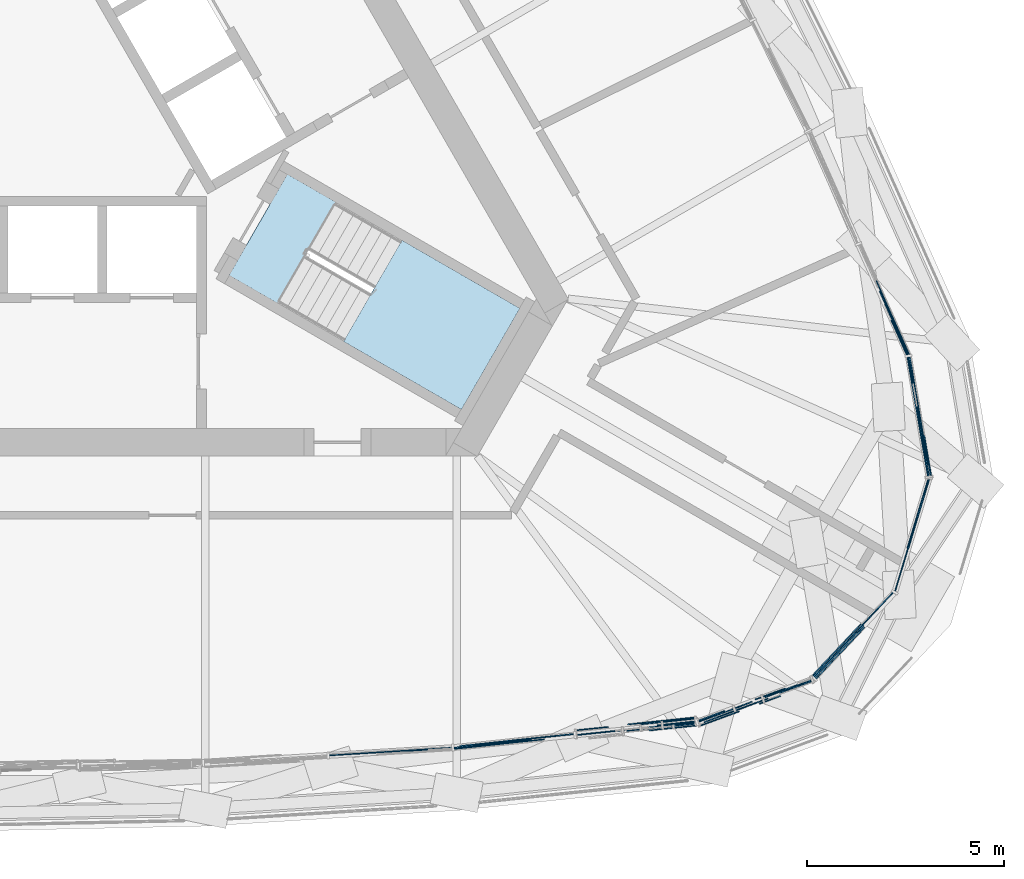
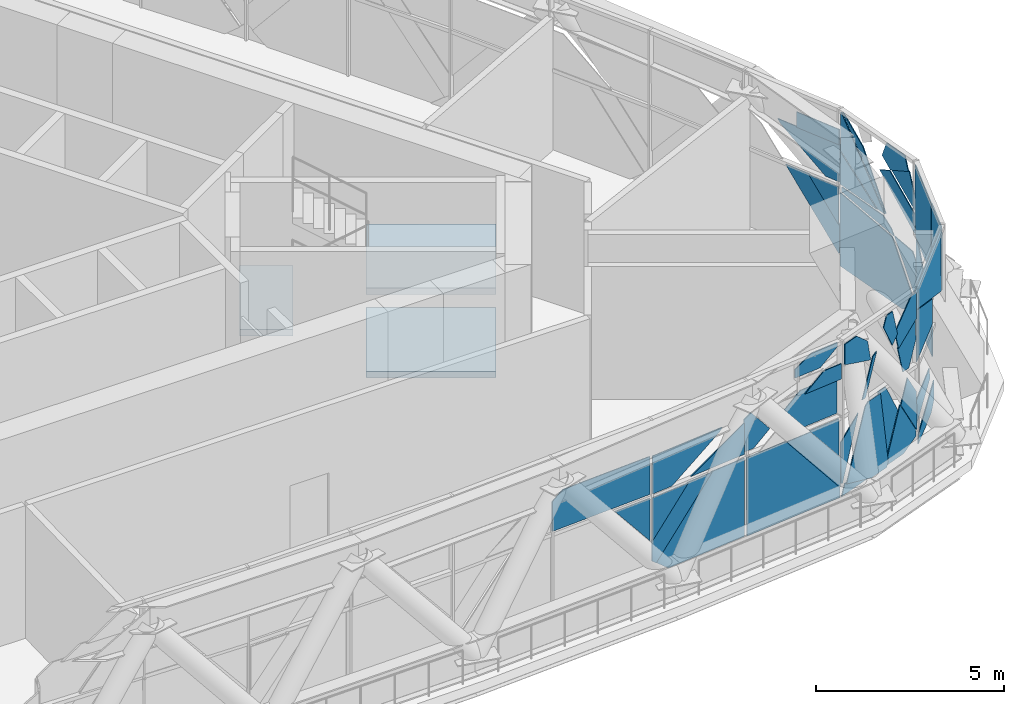
# One storey, part 12 of 33: 45 plates, 3 slabs, 4 elements without a shape of their own.
"""IFC4 building model written with IfcOpenShell, lengths in metres."""

from ifc_helpers import new_model, si_unit, direction, frame, origin, place, context, subcontext, project, spatial, polyline, outline, extrude, material, layer, layer_set, type_object, element, aggregate, save


model = new_model("IFC4")

# Units and contexts
model_context = context("Model", 3, precision=1e-05, world=origin(), true_north=direction((0.0, 1.0)))
body_context = subcontext(model_context, "Body", "Model", "MODEL_VIEW")
ifc_project = project(units=[si_unit("LENGTHUNIT", "METRE"), si_unit("AREAUNIT", "SQUARE_METRE"), si_unit("VOLUMEUNIT", "CUBIC_METRE"), si_unit("PLANEANGLEUNIT", "RADIAN"), si_unit("MASSUNIT", "GRAM", prefix="KILO")], contexts=[model_context])

# Site, building, storey
site_placement = place(None, origin())
site = spatial("IfcSite", under=ifc_project, at=site_placement, CompositionType="ELEMENT")
building_placement = place(site_placement, origin())
building = spatial("IfcBuilding", under=site, at=building_placement, Name="Mestral Congress Tower", CompositionType="ELEMENT")
storey_placement = place(building_placement, frame((0.0, 0.0, 256.199951171875)))
storey = spatial("IfcBuildingStorey", under=building, at=storey_placement, Name="L60", CompositionType="ELEMENT", Elevation=256.199951171875)

# Stair, slabs
ifc_material_1 = material(Name="Concrete C60/75", Category="concrete")
stair_type = type_object("IfcStairType", Name="Exit stair 1400", PredefinedType="HALF_TURN_STAIR", material=ifc_material_1)
placement = place(storey_placement, origin())
stair = element("IfcStair", 1, at=placement, inside=storey, type_object=stair_type, Name="L60 ST1", PredefinedType="HALF_TURN_STAIR")
ifc_layer_1 = layer(ifc_material_1, 0.199951171875)
ifc_layer_set_1 = layer_set([ifc_layer_1], Name="Concrete C60/75")
slab_type = type_object("IfcSlabType", Name="Exit stair landing 200", PredefinedType="LANDING", material=ifc_layer_set_1)
slab_1_placement = place(storey_placement, frame((0.0, 0.0, 1.150146484375)))
slab_1 = element("IfcSlab", 2, at=slab_1_placement, type_object=slab_type, Name="ST1 landing 1", PredefinedType="LANDING", context=body_context, shape_type="SweptSolid", body=[
    extrude(outline(polyline([(9.90966796875, -7.43603515625), (11.39453125, -4.864013671875), (14.39111328125, -6.593994140625), (12.906005859375, -9.166015625), (9.90966796875, -7.43603515625)])), origin(), (0.0, 0.0, 1.0), 0.199951171875),
])
slab_2_placement = place(storey_placement, frame((0.0, 0.0, 2.5)))
slab_2 = element("IfcSlab", 3, at=slab_2_placement, type_object=slab_type, Name="ST1 landing 2", PredefinedType="LANDING", context=body_context, shape_type="SweptSolid", body=[
    extrude(outline(polyline([(6.999755859375, -5.756103515625), (8.48486328125, -3.18408203125), (9.714599609375, -3.89404296875), (8.2294921875, -6.466064453125), (6.999755859375, -5.756103515625)])), origin(), (0.0, 0.0, 1.0), 0.199951171875),
])
slab_3_placement = place(storey_placement, frame((0.0, 0.0, 3.85009765625)))
slab_3 = element("IfcSlab", 4, at=slab_3_placement, type_object=slab_type, Name="ST1 landing 3", PredefinedType="LANDING", context=body_context, shape_type="SweptSolid", body=[
    extrude(outline(polyline([(9.90966796875, -7.43603515625), (11.39453125, -4.864013671875), (14.39111328125, -6.593994140625), (12.906005859375, -9.166015625), (9.90966796875, -7.43603515625)])), origin(), (0.0, 0.0, 1.0), 0.199951171875),
])
aggregate(stair, [slab_1, slab_2, slab_3])

# Curtain wall, plates
ifc_material_2 = material(Name="Clear low-emissivity double glazing", Category="glass")
curtain_wall_type = type_object("IfcCurtainWallType", Name="Facade refuge band screen", PredefinedType="USERDEFINED", material=ifc_material_2)
curtain_wall_1 = element("IfcCurtainWall", 5, at=placement, inside=storey, type_object=curtain_wall_type, Name="Facade refuge band screen face 1", ObjectType="CURTAIN WALL", PredefinedType="USERDEFINED")
ifc_material_3 = material(Name="Anodised aluminium", Category="aluminium")
ifc_layer_2 = layer(ifc_material_3, 0.028076171875)
ifc_layer_set_2 = layer_set([ifc_layer_2], Name="Anodised aluminium")
plate_type_1 = type_object("IfcPlateType", Name="Facade refuge band screen brace cover panel", PredefinedType="CURTAIN_PANEL", material=ifc_layer_set_2)
plate_1_placement = place(storey_placement, frame((12.660888671875, -17.76904296875, 2.66015625), z_axis=(0.062203115225, -0.998061462995, 0.00202201385), x_axis=(-0.998063503306, -0.062203242423, -1.8619e-08)))
plate_1 = element("IfcPlate", 6, at=plate_1_placement, type_object=plate_type_1, Name="Facade refuge band screen brace cover panel", PredefinedType="CURTAIN_PANEL", context=body_context, shape_type="SweptSolid", body=[
    extrude(outline(polyline([(0.0, 0.0), (3.115898994042882, -5.421010862427522e-20), (3.1160211532818978, -0.9614277881414653), (2.7793977923942417, -1.22778576400724), (9.178160279077539e-05, -1.2277856509083802), (0.0, 0.0)])), origin(), (0.0, 0.0, -1.0), 0.028076171875),
])
plate_2_placement = place(storey_placement, frame((14.69091796875, -17.55908203125, 2.5400390625), z_axis=(0.103690215249, -0.994607819022, 0.001904101566), x_axis=(-0.640297042445, -0.068217190897, -0.765092224704)))
plate_2 = element("IfcPlate", 7, at=plate_2_placement, type_object=plate_type_1, Name="Facade refuge band screen brace cover panel", PredefinedType="CURTAIN_PANEL", context=body_context, shape_type="SweptSolid", body=[
    extrude(outline(polyline([(0.0, 0.0), (2.856260489896384, 2.220446049250313e-16), (2.856348573993785, -0.1843709314212738), (2.345550716699703, -0.6144212210931209), (0.5171665002384521, -0.614488463080123), (0.0, 0.0)])), origin(), (0.0, 0.0, -1.0), 0.028076171875),
])
plate_3_placement = place(storey_placement, frame((15.7568359375, -17.417724609375, 2.66015625), z_axis=(0.10362598258, -0.994614437644, 0.001943235652), x_axis=(-0.994616315563, -0.103626178235, 0.0)))
plate_3 = element("IfcPlate", 8, at=plate_3_placement, type_object=plate_type_1, Name="Facade refuge band screen brace cover panel", PredefinedType="CURTAIN_PANEL", context=body_context, shape_type="SweptSolid", body=[
    extrude(outline(polyline([(0.0, 0.0), (1.7528449672957194, -5.421010862427522e-20), (4.043136955076933e-05, -1.0126972245576105), (0.0, 0.0)])), origin(), (0.0, 0.0, -1.0), 0.028076171875),
])
plate_4_placement = place(storey_placement, frame((12.724365234375, -17.793701171875, 2.66015625), z_axis=(0.103503660507, -0.994627024144, 0.002018688529), x_axis=(-0.000200949923, 0.002008677941, 0.999997962414)))
plate_4 = element("IfcPlate", 9, at=plate_4_placement, type_object=plate_type_1, Name="Facade refuge band screen brace cover panel", PredefinedType="CURTAIN_PANEL", context=body_context, shape_type="SweptSolid", body=[
    extrude(outline(polyline([(0.0, 0.0), (1.2277856544699957, -3.7269449679189215e-20), (1.2278041997064577, -2.3019167519917163), (1.1154985227568774, -2.207392302039442), (5.048306678506412e-06, -0.6347542154726702), (0.0, 0.0)])), origin(), (0.0, 0.0, -1.0), 0.028076171875),
])
plate_5_placement = place(storey_placement, frame((18.86181640625, -17.1591796875, 0.378662109375), z_axis=(0.103379390234, -0.994640235948, 0.001871552563), x_axis=(-0.775345977994, -0.081765041801, -0.626221280657)))
plate_5 = element("IfcPlate", 10, at=plate_5_placement, type_object=plate_type_1, Name="Facade refuge band screen brace cover panel", PredefinedType="CURTAIN_PANEL", context=body_context, shape_type="SweptSolid", body=[
    extrude(outline(polyline([(0.0, 0.0), (0.03274853143222234, 3.469446951953614e-18), (0.026127105785880733, -2.7932500781581), (-0.588550825190315, -2.2995314560922586), (-0.584928894972079, -0.7279521358761695), (0.0, 0.0)])), origin(), (0.0, 0.0, -1.0), 0.028076171875),
])

# Curtain wall, plate
curtain_wall_2 = element("IfcCurtainWall", 11, at=placement, inside=storey, type_object=curtain_wall_type, Name="Facade refuge band screen face 2", ObjectType="CURTAIN WALL", PredefinedType="USERDEFINED")
plate_6_placement = place(storey_placement, frame((23.538818359375, -6.1533203125, 2.5400390625), z_axis=(0.913240743545, 0.4074149851, 0.002091469688), x_axis=(0.255872057871, -0.569539906312, -0.78112341222)))
plate_6 = element("IfcPlate", 12, at=plate_6_placement, type_object=plate_type_1, Name="Facade refuge band screen brace cover panel", PredefinedType="CURTAIN_PANEL", context=body_context, shape_type="SweptSolid", body=[
    extrude(outline(polyline([(0.0, 0.0), (2.793265466306098, -2.220446049250313e-16), (2.7932186134765304, -0.03278730126046203), (2.0637558360282515, -0.6158316482200911), (0.49226094039887147, -0.6158438389378539), (0.0, 0.0)])), origin(), (0.0, 0.0, -1.0), 0.028076171875),
])

# Curtain wall, plates
curtain_wall_3 = element("IfcCurtainWall", 13, at=placement, inside=storey, type_object=curtain_wall_type, Name="Facade refuge band screen corner 1", ObjectType="CURTAIN WALL", PredefinedType="USERDEFINED")
plate_7_placement = place(storey_placement, frame((18.910888671875, -17.086669921875, 0.404541015625), z_axis=(0.347723292742, -0.937595077407, 0.001995622098), x_axis=(-0.000741124738, 0.00185358459, 0.999998007477)))
plate_7 = element("IfcPlate", 14, at=plate_7_placement, type_object=plate_type_1, Name="Facade refuge band screen brace cover panel", PredefinedType="CURTAIN_PANEL", context=body_context, shape_type="SweptSolid", body=[
    extrude(outline(polyline([(0.0, 0.0), (1.324709640848614, -6.776263578034403e-20), (1.8954745620727556, -0.7355369870275827), (-0.02612695509958914, -0.07600759553707806), (0.0, 0.0)])), origin(), (0.0, 0.0, -1.0), 0.028076171875),
])
plate_8_placement = place(storey_placement, frame((21.8291015625, -16.0654296875, 1.740478515625), z_axis=(0.347730414435, -0.937592391099, 0.0020166878), x_axis=(0.000642331235, -0.001912692131, -0.999997964508)))
plate_8 = element("IfcPlate", 15, at=plate_8_placement, type_object=plate_type_1, Name="Facade refuge band screen brace cover panel", PredefinedType="CURTAIN_PANEL", context=body_context, shape_type="SweptSolid", body=[
    extrude(outline(polyline([(0.0, 0.0), (1.230470918540362, -6.776263578034403e-20), (0.07767828920893786, -0.6588410895069001), (-0.6655051217925835, -0.38043351631314987), (0.0, 0.0)])), origin(), (0.0, 0.0, -1.0), 0.028076171875),
])
plate_9_placement = place(storey_placement, frame((21.81689453125, -16.03271484375, 4.12890625), z_axis=(0.347737067124, -0.937589606636, 0.002159091479), x_axis=(0.000682477821, -0.002049685269, -0.999997666504)))
plate_9 = element("IfcPlate", 16, at=plate_9_placement, type_object=plate_type_1, Name="Facade refuge band screen brace cover panel", PredefinedType="CURTAIN_PANEL", context=body_context, shape_type="SweptSolid", body=[
    extrude(outline(polyline([(0.0, 0.0), (0.7077653560213922, 0.0), (1.4687741282491587, -0.28488552503687214), (1.4687923178839866, -0.533313692893226), (0.5811105713927542, -0.7485241826120631), (0.0, 0.0)])), origin(), (0.0, 0.0, -1.0), 0.028076171875),
])
plate_10_placement = place(storey_placement, frame((21.1259765625, -16.322265625, 3.5478515625), z_axis=(0.347784990905, -0.937572217291, 0.001984304857), x_axis=(-0.221794461803, -0.080216178729, 0.971788341864)))
plate_10 = element("IfcPlate", 17, at=plate_10_placement, type_object=plate_type_1, Name="Facade refuge band screen brace cover panel", PredefinedType="CURTAIN_PANEL", context=body_context, shape_type="SweptSolid", body=[
    extrude(outline(polyline([(0.0, 0.0), (0.6152579153996935, 0.0), (1.2644162725826242, -0.8623580450211075), (1.2152264364042646, -1.065041110437848), (0.38811748961407394, -0.8644898838425364), (0.0, 0.0)])), origin(), (0.0, 0.0, -1.0), 0.028076171875),
])
plate_11_placement = place(storey_placement, frame((20.596435546875, -16.605224609375, 4.97998046875), z_axis=(0.347529666597, -0.937666926165, 0.001966319025), x_axis=(0.937668739458, 0.347530336865, -8.56981e-07)))
plate_11 = element("IfcPlate", 18, at=plate_11_placement, type_object=plate_type_1, Name="Facade refuge band screen brace cover panel", PredefinedType="CURTAIN_PANEL", context=body_context, shape_type="SweptSolid", body=[
    extrude(outline(polyline([(0.0, 0.0), (0.24757169184608163, 2.710505431213761e-20), (0.449830097934235, -0.8342297556284245), (0.23429347695955297, -1.0969258645154354), (-0.1252399486928081, -0.3293465675995744), (0.0, 0.0)])), origin(), (0.0, 0.0, -1.0), 0.028076171875),
])
plate_12_placement = place(storey_placement, frame((20.152099609375, -16.65087890625, 3.841552734375), z_axis=(0.347856791678, -0.937545544481, 0.002001126623), x_axis=(0.846332574013, 0.314931025067, 0.42958075331)))
plate_12 = element("IfcPlate", 19, at=plate_12_placement, type_object=plate_type_1, Name="Facade refuge band screen brace cover panel", PredefinedType="CURTAIN_PANEL", context=body_context, shape_type="SweptSolid", body=[
    extrude(outline(polyline([(0.0, 0.0), (0.17220170959563064, 0.0), (-0.7539767325216231, -0.8949753080531317), (-0.8116483293464751, -0.9221526198500274), (-0.9130053370150195, -0.8739358807474267), (0.0, 0.0)])), origin(), (0.0, 0.0, -1.0), 0.028076171875),
])
plate_13_placement = place(storey_placement, frame((19.430908203125, -17.03759765625, 4.97998046875), z_axis=(0.347701454226, -0.937603301457, 0.001935930401), x_axis=(0.701300746351, 0.2586992947, -0.664267971597)))
plate_13 = element("IfcPlate", 20, at=plate_13_placement, type_object=plate_type_1, Name="Facade refuge band screen brace cover panel", PredefinedType="CURTAIN_PANEL", context=body_context, shape_type="SweptSolid", body=[
    extrude(outline(polyline([(0.0, 0.0), (0.5994470212463896, 0.0), (1.1452051536944574, -0.425929030293265), (0.06260770798258425, -0.8304640618116452), (-0.3772279392865689, -0.3352284310457608), (0.0, 0.0)])), origin(), (0.0, 0.0, -1.0), 0.028076171875),
])
plate_14_placement = place(storey_placement, frame((21.81689453125, -15.9482421875, 0.320068359375), z_axis=(0.728751923637, -0.684774900267, 0.00199242555), x_axis=(-0.001409027601, 0.001410083833, 0.99999801315)))
plate_14 = element("IfcPlate", 21, at=plate_14_placement, type_object=plate_type_1, Name="Facade refuge band screen brace cover panel", PredefinedType="CURTAIN_PANEL", context=body_context, shape_type="SweptSolid", body=[
    extrude(outline(polyline([(0.0, 0.0), (0.8557146317503467, -1.7618285302889447e-19), (0.8920991747413438, -0.12228122281714443), (0.8922060922122172, -1.8230291730181518), (0.5237968987336806, -1.8207822935069429), (0.0, 0.0)])), origin(), (0.0, 0.0, -1.0), 0.028076171875),
])
plate_15_placement = place(storey_placement, frame((23.150390625, -14.702880859375, 0.84375), z_axis=(0.728832028747, -0.6846897578, 0.001951777775), x_axis=(-0.002706081545, -0.005731088325, -0.999979915673)))
plate_15 = element("IfcPlate", 22, at=plate_15_placement, type_object=plate_type_1, Name="Facade refuge band screen brace cover panel", PredefinedType="CURTAIN_PANEL", context=body_context, shape_type="SweptSolid", body=[
    extrude(outline(polyline([(0.0, 0.0), (0.6071897529506823, 4.336808689942018e-19), (0.8457343041281024, -0.32623318347700697), (0.8547133056465895, -1.8153709338940758), (0.5346512967665915, -1.8174572780190938), (0.0, 0.0)])), origin(), (0.0, 0.0, -1.0), 0.028076171875),
])
plate_16_placement = place(storey_placement, frame((21.8466796875, -15.97607421875, 4.97998046875), z_axis=(0.728768248116, -0.684757744027, 0.001916385564), x_axis=(0.684759001389, 0.728769586369, 2.8074e-08)))
plate_16 = element("IfcPlate", 23, at=plate_16_placement, type_object=plate_type_1, Name="Facade refuge band screen brace cover panel", PredefinedType="CURTAIN_PANEL", context=body_context, shape_type="SweptSolid", body=[
    extrude(outline(polyline([(0.0, 0.0), (2.9664183542128346, 8.673617379884035e-19), (2.9664672816334443, -2.05102924014674), (-0.00021017482984430857, -0.6501475949346727), (0.0, 0.0)])), origin(), (0.0, 0.0, -1.0), 0.028076171875),
])
plate_17_placement = place(storey_placement, frame((23.12841796875, -14.66015625, 3.46240234375), z_axis=(0.728753285174, -0.684773528612, 0.00196567033), x_axis=(-0.002737222783, -0.005783503626, -0.999979529139)))
plate_17 = element("IfcPlate", 24, at=plate_17_placement, type_object=plate_type_1, Name="Facade refuge band screen brace cover panel", PredefinedType="CURTAIN_PANEL", context=body_context, shape_type="SweptSolid", body=[
    extrude(outline(polyline([(0.0, 0.0), (0.8022625132629405, 0.0), (0.8134168219760167, -1.83180291682123), (-0.8562327578792208, -1.842040377170913), (0.0, 0.0)])), origin(), (0.0, 0.0, -1.0), 0.028076171875),
])
plate_18_placement = place(storey_placement, frame((24.268798828125, -12.6953125, 0.0), z_axis=(0.957397906203, -0.288765390884, 0.001948903528), x_axis=(-0.001739078619, 0.00098318365, 0.999998004476)))
plate_18 = element("IfcPlate", 25, at=plate_18_placement, type_object=plate_type_1, Name="Facade refuge band screen brace cover panel", PredefinedType="CURTAIN_PANEL", context=body_context, shape_type="SweptSolid", body=[
    extrude(outline(polyline([(0.0, 0.0), (1.2165553281075308, 0.0), (2.5407128579066103, -1.5228187690712927), (2.5408472021254993, -1.8288277579696683), (0.0008037011095605081, -1.8298801738477883), (0.0, 0.0)])), origin(), (0.0, 0.0, -1.0), 0.028076171875),
])
plate_19_placement = place(storey_placement, frame((24.7724609375, -10.935791015625, 4.97998046875), z_axis=(0.957410048457, -0.288724703355, 0.00201116517), x_axis=(0.001937971619, -0.000539363611, -0.999997976674)))
plate_19 = element("IfcPlate", 26, at=plate_19_placement, type_object=plate_type_1, Name="Facade refuge band screen brace cover panel", PredefinedType="CURTAIN_PANEL", context=body_context, shape_type="SweptSolid", body=[
    extrude(outline(polyline([(0.0, 0.0), (2.3198286998699635, 7.995991022080595e-19), (2.319749979638641, -1.8293423749582205), (-7.911527302985116e-05, -1.8286411454595244), (0.0, 0.0)])), origin(), (0.0, 0.0, -1.0), 0.028076171875),
])
plate_20_placement = place(storey_placement, frame((24.254638671875, -12.70751953125, 4.97998046875), z_axis=(0.957419988927, -0.288691668265, 0.002021256381), x_axis=(0.00366641645, 0.005158044561, -0.999979975783)))
plate_20 = element("IfcPlate", 27, at=plate_20_placement, type_object=plate_type_1, Name="Facade refuge band screen brace cover panel", PredefinedType="CURTAIN_PANEL", context=body_context, shape_type="SweptSolid", body=[
    extrude(outline(polyline([(0.0, 0.0), (1.5176086216969389, 1.734723475976807e-18), (2.0442717386110054, -1.1330205474265307), (-0.006720607334390459, -1.120679723951249), (0.0, 0.0)])), origin(), (0.0, 0.0, -1.0), 0.028076171875),
])
plate_21_placement = place(storey_placement, frame((24.84375, -10.868896484375, 0.510009765625), z_axis=(0.985870885276, 0.167495254174, 0.001984287053), x_axis=(-0.001946391411, -0.000390414162, 0.999998029567)))
plate_21 = element("IfcPlate", 28, at=plate_21_placement, type_object=plate_type_1, Name="Facade refuge band screen brace cover panel", PredefinedType="CURTAIN_PANEL", context=body_context, shape_type="SweptSolid", body=[
    extrude(outline(polyline([(0.0, 0.0), (1.2304712680074559, 1.0842021724855044e-19), (1.508538540870088, -0.15883876034483624), (1.6022442663639664, -0.9154212297716847), (0.0, 0.0)])), origin(), (0.0, 0.0, -1.0), 0.028076171875),
])
plate_22_placement = place(storey_placement, frame((24.794921875, -10.87744140625, 3.31884765625), z_axis=(0.985871981133, 0.167486338885, 0.002182453546), x_axis=(-0.130841259227, 0.761902846643, 0.634337936088)))
plate_22 = element("IfcPlate", 29, at=plate_22_placement, type_object=plate_type_1, Name="Facade refuge band screen brace cover panel", PredefinedType="CURTAIN_PANEL", context=body_context, shape_type="SweptSolid", body=[
    extrude(outline(polyline([(0.0, 0.0), (1.3647661979924297, -1.1102230246251565e-16), (1.5601792560881607, -0.41521060468600013), (-0.40386856464042226, -0.4922422957412355), (0.0, 0.0)])), origin(), (0.0, 0.0, -1.0), 0.028076171875),
])

# Plate
ifc_layer_3 = layer(ifc_material_2, 0.028076171875)
ifc_layer_set_3 = layer_set([ifc_layer_3], Name="Clear low-emissivity double glazing")
plate_type_2 = type_object("IfcPlateType", Name="Facade refuge band screen panel", PredefinedType="CURTAIN_PANEL", material=ifc_layer_set_3)
plate_23_placement = place(storey_placement, frame((12.661376953125, -17.777099609375, 2.5400390625), z_axis=(0.062432318186, -0.998046954139, 0.002117304919), x_axis=(0.000175870165, -0.002110441979, -0.99999775755)))
plate_23 = element("IfcPlate", 30, at=plate_23_placement, type_object=plate_type_2, Name="Refuge screen glass unit", PredefinedType="CURTAIN_PANEL", context=body_context, shape_type="SweptSolid", body=[
    extrude(outline(polyline([(0.0, 0.0), (1.3881867066897586, 0.0), (-4.91199874587806e-05, -1.1223065919371773), (0.0, 0.0)])), origin(), (0.0, 0.0, -1.0), 0.028076171875),
])

plate_24_placement = place(storey_placement, frame((15.7568359375, -17.41796875, 2.5400390625), z_axis=(0.10355143911, -0.994622076757, 0.002005962411), x_axis=(0.000190002555, -0.001997023174, -0.999997987897)))
plate_24 = element("IfcPlate", 31, at=plate_24_placement, type_object=plate_type_2, Name="Refuge screen glass unit", PredefinedType="CURTAIN_PANEL", context=body_context, shape_type="SweptSolid", body=[
    extrude(outline(polyline([(0.0, 0.0), (2.5400442830979375, -1.2197274440461925e-19), (2.5400885647257523, -2.492641992352287), (2.185359112889213, -2.9140337196677732), (1.919467246372207e-05, -1.0748726532220692), (0.0, 0.0)])), origin(), (0.0, 0.0, -1.0), 0.028076171875),
])

plate_25_placement = place(storey_placement, frame((12.724365234375, -17.7939453125, 2.5400390625), z_axis=(0.103486177584, -0.994628672736, 0.0021010524), x_axis=(0.994630868098, 0.103486406001, 0.0)))
plate_25 = element("IfcPlate", 32, at=plate_25_placement, type_object=plate_type_2, Name="Refuge screen glass unit", PredefinedType="CURTAIN_PANEL", context=body_context, shape_type="SweptSolid", body=[
    extrude(outline(polyline([(0.0, 0.0), (1.1772190820291941, 0.0), (-6.035302829936941e-05, -1.3989288689840265), (0.0, 0.0)])), origin(), (0.0, 0.0, -1.0), 0.028076171875),
])

plate_26_placement = place(storey_placement, frame((15.819580078125, -17.441650390625, 2.5400390625), z_axis=(0.103616520798, -0.994615325572, 0.001992675189), x_axis=(0.99461730024, 0.103616726754, 1.19806e-07)))
plate_26 = element("IfcPlate", 33, at=plate_26_placement, type_object=plate_type_2, Name="Refuge screen glass unit", PredefinedType="CURTAIN_PANEL", context=body_context, shape_type="SweptSolid", body=[
    extrude(outline(polyline([(0.0, 0.0), (1.2857373416662548, 0.0), (3.055301630323482, -2.2138718221811984), (3.0552257000888168, -2.5400445012202173), (0.0002222341072155705, -2.5400438482988204), (0.0, 0.0)])), origin(), (0.0, 0.0, -1.0), 0.028076171875),
])

plate_27_placement = place(storey_placement, frame((18.855224609375, -17.09521484375, 2.5400390625), z_axis=(0.103764814824, -0.994599436095, 0.002196570925), x_axis=(0.000198885757, -0.002187743329, -0.999997587109)))
plate_27 = element("IfcPlate", 34, at=plate_27_placement, type_object=plate_type_2, Name="Refuge screen glass unit", PredefinedType="CURTAIN_PANEL", context=body_context, shape_type="SweptSolid", body=[
    extrude(outline(polyline([(0.0, 0.0), (1.2275420244252502, -4.0657581468206416e-20), (2.864809490652341e-05, -0.9811263591546595), (0.0, 0.0)])), origin(), (0.0, 0.0, -1.0), 0.028076171875),
])

plate_28_placement = place(storey_placement, frame((16.117919921875, -17.293701171875, 2.66015625), z_axis=(0.103404244909, -0.994637323629, 0.002038768971), x_axis=(-0.994639390825, -0.103404459378, 2.14862e-07)))
plate_28 = element("IfcPlate", 35, at=plate_28_placement, type_object=plate_type_2, Name="Refuge screen glass unit", PredefinedType="CURTAIN_PANEL", context=body_context, shape_type="SweptSolid", body=[
    extrude(outline(polyline([(0.0, 0.0), (0.31197169296300103, 0.0), (0.3119875428197642, -1.0473656116924457), (0.07952650121436283, -1.1816429977313085), (-0.5285728649323075, -0.4208997409620249), (0.0, 0.0)])), origin(), (0.0, 0.0, -1.0), 0.028076171875),
])

plate_29_placement = place(storey_placement, frame((17.129150390625, -17.1748046875, 3.470703125), z_axis=(0.10362536906, -0.994614243353, 0.002071184622), x_axis=(0.778052503242, 0.082359431856, 0.622777027661)))
plate_29 = element("IfcPlate", 36, at=plate_29_placement, type_object=plate_type_2, Name="Refuge screen glass unit", PredefinedType="CURTAIN_PANEL", context=body_context, shape_type="SweptSolid", body=[
    extrude(outline(polyline([(0.0, 0.0), (0.6699618226872381, 0.0), (1.609452495703931, -0.7478221784628694), (0.8449961574664455, -1.7085845297118105), (0.0020980380599636694, -1.0376489652098222), (0.0, 0.0)])), origin(), (0.0, 0.0, -1.0), 0.028076171875),
])

plate_30_placement = place(storey_placement, frame((18.866455078125, -17.203125, 4.387939453125), z_axis=(0.103481097804, -0.994629487938, 0.001960642995), x_axis=(0.000484915, -0.001920775157, -0.999998037738)))
plate_30 = element("IfcPlate", 37, at=plate_30_placement, type_object=plate_type_2, Name="Refuge screen glass unit", PredefinedType="CURTAIN_PANEL", context=body_context, shape_type="SweptSolid", body=[
    extrude(outline(polyline([(0.0, 0.0), (0.5000010130135376, 5.421010862427522e-20), (0.49966043329210963, -1.201026176970028), (-0.00016248246125867446, -0.5731470163622059), (0.0, 0.0)])), origin(), (0.0, 0.0, -1.0), 0.028076171875),
])

plate_31_placement = place(storey_placement, frame((17.45068359375, -17.1728515625, 4.660888671875), z_axis=(0.103467609561, -0.994630179897, 0.002293253127), x_axis=(0.861224806332, 0.090742903625, 0.500057555087)))
plate_31 = element("IfcPlate", 38, at=plate_31_placement, type_object=plate_type_2, Name="Refuge screen glass unit", PredefinedType="CURTAIN_PANEL", context=body_context, shape_type="SweptSolid", body=[
    extrude(outline(polyline([(0.0, 0.0), (0.6381099442655889, 5.551115123125783e-17), (1.376340398513574, -0.4262846478950077), (1.308439338080892, -0.5438237578842438), (0.5840448640494403, -0.6524392536500087), (-0.1363465211162961, -0.23645608875076055), (0.0, 0.0)])), origin(), (0.0, 0.0, -1.0), 0.028076171875),
])

aggregate(curtain_wall_1, [plate_23, plate_1, plate_24, plate_25, plate_2, plate_3, plate_4, plate_26, plate_27, plate_5, plate_28, plate_29, plate_30, plate_31])

plate_32_placement = place(storey_placement, frame((24.232666015625, -7.781494140625, 2.5400390625), z_axis=(0.913172513986, 0.407568549839, 0.001958796107), x_axis=(-0.407569331738, 0.913174265859, 0.0)))
plate_32 = element("IfcPlate", 39, at=plate_32_placement, type_object=plate_type_2, Name="Refuge screen glass unit", PredefinedType="CURTAIN_PANEL", context=body_context, shape_type="SweptSolid", body=[
    extrude(outline(polyline([(0.0, 0.0), (0.9811885061250982, -1.0842021724855044e-19), (-3.7663384283498715e-06, -1.227541417468159), (0.0, 0.0)])), origin(), (0.0, 0.0, -1.0), 0.028076171875),
])

plate_33_placement = place(storey_placement, frame((24.2890625, -7.75634765625, 2.66015625), z_axis=(0.913151559172, 0.407614945385, 0.002070333284), x_axis=(-0.001924861578, -0.000766994664, 0.999997853311)))
plate_33 = element("IfcPlate", 40, at=plate_33_placement, type_object=plate_type_2, Name="Refuge screen glass unit", PredefinedType="CURTAIN_PANEL", context=body_context, shape_type="SweptSolid", body=[
    extrude(outline(polyline([(0.0, 0.0), (1.2277860158439133, 1.6263032587282567e-19), (1.2279583602305468, -2.0479478489625507), (1.0963572580501153, -1.9427300912782859), (3.9894217232859476e-05, -0.4698215671131474), (0.0, 0.0)])), origin(), (0.0, 0.0, -1.0), 0.028076171875),
])

plate_34_placement = place(storey_placement, frame((23.683837890625, -6.48779296875, 4.387939453125), z_axis=(0.913149184727, 0.407620204999, 0.002082044456), x_axis=(0.00186224702, 0.000935995275, -0.999997827972)))
plate_34 = element("IfcPlate", 41, at=plate_34_placement, type_object=plate_type_2, Name="Refuge screen glass unit", PredefinedType="CURTAIN_PANEL", context=body_context, shape_type="SweptSolid", body=[
    extrude(outline(polyline([(0.0, 0.0), (0.5000011896155894, 5.421010862427522e-20), (0.49986672680867617, -1.4052249914438122), (-0.00013423429244173966, -1.4050020541687578), (0.0, 0.0)])), origin(), (0.0, 0.0, -1.0), 0.028076171875),
])

aggregate(curtain_wall_2, [plate_32, plate_6, plate_33, plate_34])

plate_35_placement = place(storey_placement, frame((18.925537109375, -17.114013671875, 0.0), z_axis=(0.347794359395, -0.937568775177, 0.001968599863), x_axis=(0.327790399517, 0.123561615443, 0.936635457995)))
plate_35 = element("IfcPlate", 42, at=plate_35_placement, type_object=plate_type_2, Name="Refuge screen glass unit", PredefinedType="CURTAIN_PANEL", context=body_context, shape_type="SweptSolid", body=[
    extrude(outline(polyline([(0.0, 0.0), (0.3813412478954993, 2.7755575615628914e-17), (0.41138996202588, -1.0999781375722006), (0.0, 0.0)])), origin(), (0.0, 0.0, -1.0), 0.028076171875),
])

plate_36_placement = place(storey_placement, frame((21.819580078125, -16.03955078125, 0.510009765625), z_axis=(0.347742656587, -0.937588166194, 0.001864243333), x_axis=(-8.6873698e-05, -0.002020555804, -0.999997954902)))
plate_36 = element("IfcPlate", 43, at=plate_36_placement, type_object=plate_type_2, Name="Refuge screen glass unit", PredefinedType="CURTAIN_PANEL", context=body_context, shape_type="SweptSolid", body=[
    extrude(outline(polyline([(0.0, 0.0), (0.2165532781028437, 2.710505431213761e-20), (0.5104131016511354, -0.5131694769309149), (0.5110153181022161, -1.2810851182742753), (-1.1523171814139013, -0.6596723189145967), (0.0, 0.0)])), origin(), (0.0, 0.0, -1.0), 0.028076171875),
])

plate_37_placement = place(storey_placement, frame((20.6376953125, -16.538818359375, 0.0), z_axis=(0.347707338847, -0.93760102011, 0.001983330857), x_axis=(-0.937602864469, -0.347708021965, 4.06149e-07)))
plate_37 = element("IfcPlate", 44, at=plate_37_placement, type_object=plate_type_2, Name="Refuge screen glass unit", PredefinedType="CURTAIN_PANEL", context=body_context, shape_type="SweptSolid", body=[
    extrude(outline(polyline([(0.0, 0.0), (0.6308724473470863, 0.0), (1.6716792634732243, -0.35717781214602595), (0.8904922850324618, -2.442631727869125), (0.7649639269874382, -2.5400438107394923), (0.2551342315339557, -2.540043963270492), (-0.06111933919414182, -0.16284251002295258), (0.0, 0.0)])), origin(), (0.0, 0.0, -1.0), 0.028076171875),
])

plate_38_placement = place(storey_placement, frame((20.6650390625, -16.4365234375, 0.162841796875), z_axis=(0.347872375939, -0.937539747263, 0.002008074055), x_axis=(-0.124296677078, -0.043996895654, 0.991269191108)))
plate_38 = element("IfcPlate", 45, at=plate_38_placement, type_object=plate_type_2, Name="Refuge screen glass unit", PredefinedType="CURTAIN_PANEL", context=body_context, shape_type="SweptSolid", body=[
    extrude(outline(polyline([(0.0, 0.0), (2.398135013538742, 0.0), (2.3563900527803723, -0.3138722132422302), (1.2698136399723872, -0.6782355867850318), (0.0, 0.0)])), origin(), (0.0, 0.0, -1.0), 0.028076171875),
])

plate_39_placement = place(storey_placement, frame((24.253662109375, -7.833740234375, 0.0), z_axis=(0.985851475824, 0.167609372583, 0.001991441234), x_axis=(0.167609705055, -0.985853430674, -5.8687e-08)))
plate_39 = element("IfcPlate", 46, at=plate_39_placement, type_object=plate_type_2, Name="Refuge screen glass unit", PredefinedType="CURTAIN_PANEL", context=body_context, shape_type="SweptSolid", body=[
    extrude(outline(polyline([(0.0, 0.0), (2.5777386566970977, 2.168404344971009e-19), (3.0912453318545423, -0.293457730857641), (3.0911634784693938, -0.5100109944483857), (2.1758361398432124, -2.1123088997857247), (-5.556563267229812e-05, -2.3825729863596057), (0.0, 0.0)])), origin(), (0.0, 0.0, -1.0), 0.028076171875),
])

plate_40_placement = place(storey_placement, frame((24.67138671875, -9.9697265625, 2.1123046875), z_axis=(0.985848016347, 0.16763281398, 0.00171123995), x_axis=(-0.084577407183, 0.488534224821, 0.8684359351)))
plate_40 = element("IfcPlate", 47, at=plate_40_placement, type_object=plate_type_2, Name="Refuge screen glass unit", PredefinedType="CURTAIN_PANEL", context=body_context, shape_type="SweptSolid", body=[
    extrude(outline(polyline([(0.0, 0.0), (0.2159054904341014, 1.3877787807814457e-17), (0.5968266465098043, -0.18267777703841073), (1.450167310034374, -1.6773811399058514), (1.3135127149851202, -1.7556285875094824), (0.0, 0.0)])), origin(), (0.0, 0.0, -1.0), 0.028076171875),
])

plate_41_placement = place(storey_placement, frame((24.248291015625, -7.834716796875, 2.66015625), z_axis=(0.985836713438, 0.167697939892, 0.001837224372), x_axis=(0.167698222916, -0.985838377236, 0.0)))
plate_41 = element("IfcPlate", 48, at=plate_41_placement, type_object=plate_type_2, Name="Refuge screen glass unit", PredefinedType="CURTAIN_PANEL", context=body_context, shape_type="SweptSolid", body=[
    extrude(outline(polyline([(0.0, 0.0), (1.5475505933364029, 0.0), (-8.685239406534123e-05, -1.0703143063674438), (0.0, 0.0)])), origin(), (0.0, 0.0, -1.0), 0.028076171875),
])

plate_42_placement = place(storey_placement, frame((24.27587890625, -7.830078125, 3.73046875), z_axis=(0.985866946226, 0.167517879856, 0.002030829252), x_axis=(0.138917904369, -0.810656308196, -0.568804154194)))
plate_42 = element("IfcPlate", 49, at=plate_42_placement, type_object=plate_type_2, Name="Refuge screen glass unit", PredefinedType="CURTAIN_PANEL", context=body_context, shape_type="SweptSolid", body=[
    extrude(outline(polyline([(0.0, 0.0), (1.8816892336845734, 1.1102230246251565e-16), (2.105934898587054, -0.15508386832569487), (-0.6841958041087716, -1.0460414765139898), (-0.7108686972410386, -1.0275948825248744), (0.0, 0.0)])), origin(), (0.0, 0.0, -1.0), 0.028076171875),
])

plate_43_placement = place(storey_placement, frame((24.318115234375, -7.913330078125, 4.97998046875), z_axis=(0.985949173569, 0.1670288873, 0.002361767514), x_axis=(-0.167029357933, 0.985951922552, 2.057829e-06)))
plate_43 = element("IfcPlate", 50, at=plate_43_placement, type_object=plate_type_2, Name="Refuge screen glass unit", PredefinedType="CURTAIN_PANEL", context=body_context, shape_type="SweptSolid", body=[
    extrude(outline(polyline([(0.0, 0.0), (0.05671316777925446, 3.3881317890172014e-21), (-1.7310717947729832, -2.3198274541345776), (-1.7481294133260499, -2.319827027199548), (-0.7956338510971375, -0.6528324717815864), (0.0, 0.0)])), origin(), (0.0, 0.0, -1.0), 0.028076171875),
])

plate_44_placement = place(storey_placement, frame((24.744873046875, -10.42333984375, 4.97998046875), z_axis=(0.985831087822, 0.167729526982, 0.001967755523), x_axis=(-0.167729851828, 0.985832996407, 5.9736e-08)))
plate_44 = element("IfcPlate", 51, at=plate_44_placement, type_object=plate_type_2, Name="Refuge screen glass unit", PredefinedType="CURTAIN_PANEL", context=body_context, shape_type="SweptSolid", body=[
    extrude(outline(polyline([(0.0, 0.0), (0.7654872299699839, 0.0), (0.9542871358179302, -0.503662953287425), (0.5990347281922567, -0.7954118438730856), (-0.14549810827961115, -0.44091858770844383), (0.0, 0.0)])), origin(), (0.0, 0.0, -1.0), 0.028076171875),
])

plate_45_placement = place(storey_placement, frame((24.799560546875, -10.5615234375, 4.5390625), z_axis=(0.985850175453, 0.167616937727, 0.001998435993), x_axis=(-0.150491734178, 0.890252535465, -0.429886800264)))
plate_45 = element("IfcPlate", 52, at=plate_45_placement, type_object=plate_type_2, Name="Refuge screen glass unit", PredefinedType="CURTAIN_PANEL", context=body_context, shape_type="SweptSolid", body=[
    extrude(outline(polyline([(0.0, 0.0), (0.8246178733131653, 0.0), (0.2442427726066349, -1.2351778541656662), (0.1244601206453268, -0.9834109363437502), (0.0, 0.0)])), origin(), (0.0, 0.0, -1.0), 0.028076171875),
])

aggregate(curtain_wall_3, [plate_35, plate_36, plate_37, plate_38, plate_7, plate_8, plate_9, plate_10, plate_11, plate_12, plate_13, plate_14, plate_15, plate_16, plate_17, plate_18, plate_19, plate_20, plate_39, plate_40, plate_21, plate_41, plate_42, plate_43, plate_44, plate_45, plate_22])

save(model, "model.ifc")
